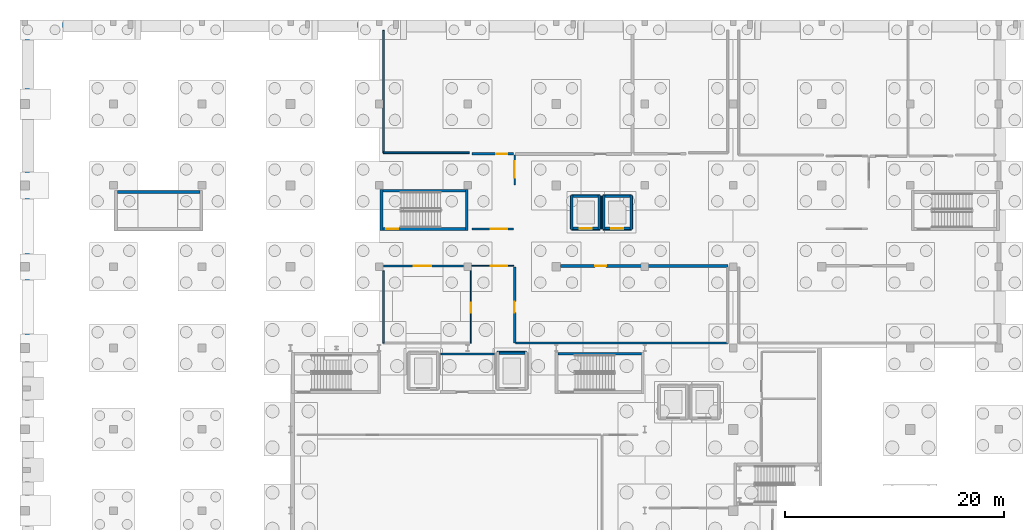
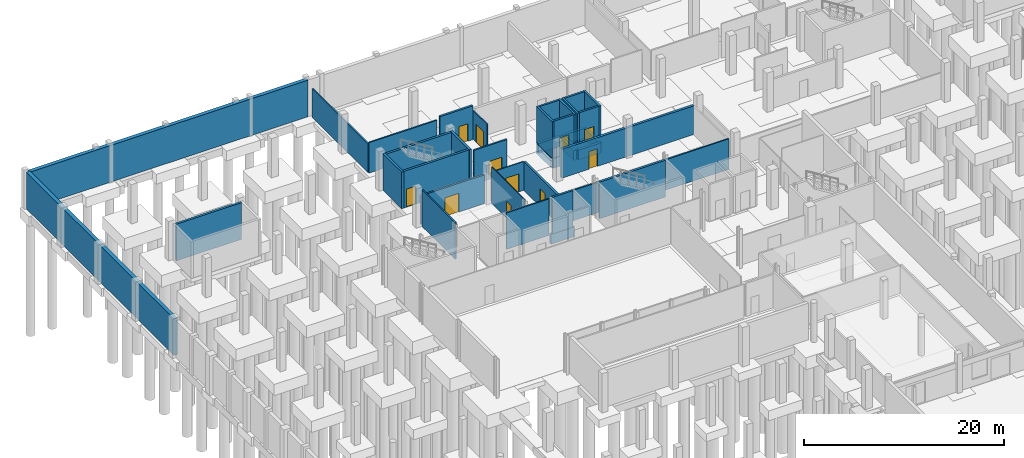
# One storey, part 28 of 37: 39 walls, 11 doors, 11 openings.
"""IFC4 building model written with IfcOpenShell, lengths in metres."""

from ifc_helpers import new_model, si_unit, direction, frame, frame_2d, origin, place, context, subcontext, project, spatial, rectangle, extrude, material, layer, layer_set, type_object, element, fill, save


model = new_model("IFC4")

# Units and contexts
model_context = context("Model", 3, precision=1e-05, world=origin(), true_north=direction((0.0, 1.0)))
body_context = subcontext(model_context, "Body", "Model", "MODEL_VIEW")
ifc_project = project(units=[si_unit("LENGTHUNIT", "METRE"), si_unit("AREAUNIT", "SQUARE_METRE"), si_unit("VOLUMEUNIT", "CUBIC_METRE"), si_unit("PLANEANGLEUNIT", "RADIAN"), si_unit("MASSUNIT", "GRAM", prefix="KILO")], contexts=[model_context])

# Site, building, storey
site_placement = place(None, origin())
site = spatial("IfcSite", under=ifc_project, at=site_placement, CompositionType="ELEMENT")
building_placement = place(site_placement, origin())
building = spatial("IfcBuilding", under=site, at=building_placement, Name="Kaelora Sail Theatre", CompositionType="ELEMENT")
storey_placement = place(building_placement, frame((0.0, 0.0, -4.800048828125)))
storey = spatial("IfcBuildingStorey", under=building, at=storey_placement, Name="B1", CompositionType="ELEMENT", Elevation=-4.800048828125)

# Wall
ifc_material_1 = material(Name="Concrete C40/50", Category="concrete")
ifc_layer_1 = layer(ifc_material_1, 0.25)
ifc_layer_set_1 = layer_set([ifc_layer_1], Name="Concrete C40/50")
wall_type_1 = type_object("IfcWallType", Name="ARC-WL-CW-250", PredefinedType="SHEAR", material=ifc_layer_set_1)
wall_1_placement = place(storey_placement, frame((50.2548828125, 82.824951171875, 0.0), z_axis=(0.0, 0.0, 1.0), x_axis=(1.0, 0.0, 0.0)))
element("IfcWall", 1, at=wall_1_placement, inside=storey, type_object=wall_type_1, Name="Stair shaft ST-K5 wall B1-N", PredefinedType="SHEAR", context=body_context, shape_type="SweptSolid", body=[
    extrude(rectangle(XDim=7.64013671875, YDim=0.25, at=frame_2d((3.820068359375, 0.0))), origin(), (0.0, 0.0, 1.0), 4.47998046875),
])

# Wall, opening, door
wall_2_placement = place(storey_placement, frame((34.2548828125, 94.22509765625, 0.0), z_axis=(0.0, 0.0, 1.0), x_axis=(1.0, 0.0, 0.0)))
wall_2 = element("IfcWall", 2, at=wall_2_placement, inside=storey, type_object=wall_type_1, Name="Stair shaft ST-K2 wall B1-S", PredefinedType="SHEAR", context=body_context, shape_type="SweptSolid", body=[
    extrude(rectangle(XDim=7.5400390625, YDim=0.25, at=frame_2d((3.77001953125, 0.0))), origin(), (0.0, 0.0, 1.0), 4.47998046875),
])
opening_1_placement = place(wall_2_placement, frame((0.320068359375, 0.0, 0.0)))
opening_1 = element("IfcOpeningElement", 3, at=opening_1_placement, cuts=wall_2, Name="Opening FD-02", PredefinedType="OPENING", context=body_context, shape_type="SweptSolid", body=[
    extrude(rectangle(XDim=1.10009765625, YDim=2.199951171875, at=frame_2d((0.550048828125, 1.10009765625))), frame((0.0, 0.135, 0.0), z_axis=(0.0, -1.0, 0.0), x_axis=(1.0, 0.0, 0.0)), (0.0, 0.0, 1.0), 0.27),
])
ifc_material_2 = material(Name="Acoustic steel single stair/lobby fire door EI 90-C", Category="steel")
door_type_1 = type_object("IfcDoorType", Name="ARC-DR-FD-02", OperationType="NOTDEFINED", PredefinedType="DOOR", material=ifc_material_2)
door_1_placement = place(opening_1_placement, origin())
door_1 = element("IfcDoor", 4, at=door_1_placement, inside=storey, type_object=door_type_1, Name="Stair ST-K2 door (B1)", OperationType="SINGLE_SWING_LEFT", OverallHeight=2.199951171875, OverallWidth=1.10009765625, PredefinedType="DOOR", context=body_context, shape_type="SweptSolid", body=[
    extrude(rectangle(XDim=1.10009765625, YDim=2.199951171875, at=frame_2d((0.550048828125, 1.10009765625))), frame((0.0, 0.02490234375, 0.0), z_axis=(0.0, -1.0, 0.0), x_axis=(1.0, 0.0, 0.0)), (0.0, 0.0, 1.0), 0.050048828125),
])
fill(opening_1, door_1)

# Walls
wall_3_placement = place(storey_placement, frame((34.2548828125, 97.72509765625, 0.0), z_axis=(0.0, 0.0, 1.0), x_axis=(1.0, 0.0, 0.0)))
element("IfcWall", 5, at=wall_3_placement, inside=storey, type_object=wall_type_1, Name="Stair shaft ST-K2 wall B1-N", PredefinedType="SHEAR", context=body_context, shape_type="SweptSolid", body=[
    extrude(rectangle(XDim=7.5400390625, YDim=0.25, at=frame_2d((3.77001953125, 0.0))), origin(), (0.0, 0.0, 1.0), 4.47998046875),
])
for number, where, z_axis, x_axis, name in (
    (6, (34.125, 94.10009765625, 0.0), (0.0, 0.0, 1.0), (0.0, 1.0, 0.0), "Stair shaft ST-K2 wall B1-W"),
    (7, (41.925048828125, 94.10009765625, 0.0), (0.0, 0.0, 1.0), (0.0, 1.0, 0.0), "Stair shaft ST-K2 wall B1-E"),
):
    element("IfcWall", number, at=place(storey_placement, frame(where, z_axis=z_axis, x_axis=x_axis)), inside=storey, type_object=wall_type_1, Name=name, PredefinedType="SHEAR", context=body_context, shape_type="SweptSolid", body=[
        extrude(rectangle(XDim=3.75, YDim=0.25, at=frame_2d((1.875, 0.0))), origin(), (0.0, 0.0, 1.0), 4.47998046875),
    ])
wall_4_placement = place(storey_placement, frame((9.955078125, 97.625, 0.0), z_axis=(0.0, 0.0, 1.0), x_axis=(1.0, 0.0, 0.0)))
element("IfcWall", 8, at=wall_4_placement, inside=storey, type_object=wall_type_1, Name="Stair shaft ST-W1 wall B1-N", PredefinedType="SHEAR", context=body_context, shape_type="SweptSolid", body=[
    extrude(rectangle(XDim=7.5400390625, YDim=0.25, at=frame_2d((3.77001953125, 0.0))), origin(), (0.0, 0.0, 1.0), 4.47998046875),
])

# Wall, opening, door
ifc_material_3 = material(Name="Sanitary moisture-resistant partition 100 mm", Category="gypsum")
ifc_layer_2 = layer(ifc_material_3, 0.10009765625)
ifc_layer_set_2 = layer_set([ifc_layer_2], Name="Sanitary moisture-resistant partition 100 mm")
wall_type_2 = type_object("IfcWallType", Name="ARC-WL-PT-100", PredefinedType="PARTITIONING", material=ifc_layer_set_2)
wall_5_placement = place(storey_placement, frame((42.39990234375, 90.85009765625, 0.0), z_axis=(0.0, 0.0, 1.0), x_axis=(1.0, 0.0, 0.0)))
wall_5 = element("IfcWall", 9, at=wall_5_placement, inside=storey, type_object=wall_type_2, Name="Interior acoustic partition B1-COR-NW2S/B1-COR-NORTH", PredefinedType="PARTITIONING", context=body_context, shape_type="SweptSolid", body=[
    extrude(rectangle(XDim=3.800048828125, YDim=0.10009765625, at=frame_2d((1.89990234375, 0.0))), origin(), (0.0, 0.0, 1.0), 3.511962890625),
])
opening_2_placement = place(wall_5_placement, frame((1.719970703125, 0.0, 0.0)))
opening_2 = element("IfcOpeningElement", 10, at=opening_2_placement, cuts=wall_5, Name="Opening FD-01", PredefinedType="OPENING", context=body_context, shape_type="SweptSolid", body=[
    extrude(rectangle(XDim=1.5, YDim=2.199951171875, at=frame_2d((0.75, 1.10009765625))), frame((0.0, 0.060049, 0.0), z_axis=(0.0, -1.0, 0.0), x_axis=(1.0, 0.0, 0.0)), (0.0, 0.0, 1.0), 0.120098),
])
ifc_material_4 = material(Name="Acoustic steel double fire door EI 90-C", Category="steel")
door_type_2 = type_object("IfcDoorType", Name="ARC-DR-FD-01", OperationType="NOTDEFINED", PredefinedType="DOOR", material=ifc_material_4)
door_2_placement = place(opening_2_placement, origin())
door_2 = element("IfcDoor", 11, at=door_2_placement, inside=storey, type_object=door_type_2, Name="Interior door B1-COR-NW2S to B1-COR-NORTH", OperationType="DOUBLE_DOOR_SINGLE_SWING", OverallHeight=2.199951171875, OverallWidth=1.5, PredefinedType="DOOR", context=body_context, shape_type="SweptSolid", body=[
    extrude(rectangle(XDim=1.5, YDim=2.199951171875, at=frame_2d((0.75, 1.10009765625))), frame((0.0, 0.02490234375, 0.0), z_axis=(0.0, -1.0, 0.0), x_axis=(1.0, 0.0, 0.0)), (0.0, 0.0, 1.0), 0.050048828125),
])
fill(opening_2, door_2)

wall_6_placement = place(storey_placement, frame((42.300048828125, 83.800048828125, 0.0), z_axis=(0.0, 0.0, 1.0), x_axis=(0.0, 1.0, 0.0)))
wall_6 = element("IfcWall", 12, at=wall_6_placement, inside=storey, type_object=wall_type_2, Name="Interior acoustic partition B1-COR-NW2S/B1-SEC", PredefinedType="PARTITIONING", context=body_context, shape_type="SweptSolid", body=[
    extrude(rectangle(XDim=6.625, YDim=0.10009765625, at=frame_2d((3.3125, 0.0))), origin(), (0.0, 0.0, 1.0), 4.4599609375),
])
opening_3_placement = place(wall_6_placement, frame((2.762939453125, 0.0, 0.0)))
opening_3 = element("IfcOpeningElement", 13, at=opening_3_placement, cuts=wall_6, Name="Opening ID-03", PredefinedType="OPENING", context=body_context, shape_type="SweptSolid", body=[
    extrude(rectangle(XDim=0.89990234375, YDim=2.10009765625, at=frame_2d((0.449951171875, 1.050048828125))), frame((0.0, 0.060049, 0.0), z_axis=(0.0, -1.0, 0.0), x_axis=(1.0, 0.0, 0.0)), (0.0, 0.0, 1.0), 0.120098),
])
ifc_material_5 = material(Name="Accessible sanitary laminate door", Category="timber")
door_type_3 = type_object("IfcDoorType", Name="ARC-DR-ID-03", OperationType="NOTDEFINED", PredefinedType="DOOR", material=ifc_material_5)
door_3_placement = place(opening_3_placement, origin())
door_3 = element("IfcDoor", 14, at=door_3_placement, inside=storey, type_object=door_type_3, Name="Interior door B1-COR-NW2S to B1-SEC", OperationType="SINGLE_SWING_LEFT", OverallHeight=2.10009765625, OverallWidth=0.89990234375, PredefinedType="DOOR", context=body_context, shape_type="SweptSolid", body=[
    extrude(rectangle(XDim=0.89990234375, YDim=2.10009765625, at=frame_2d((0.449951171875, 1.050048828125))), frame((0.0, 0.02490234375, 0.0), z_axis=(0.0, -1.0, 0.0), x_axis=(1.0, 0.0, 0.0)), (0.0, 0.0, 1.0), 0.050048828125),
])
fill(opening_3, door_3)

ifc_material_6 = material(Name="Dressing room acoustic partition 130 mm", Category="gypsum")
ifc_layer_3 = layer(ifc_material_6, 0.1298828125)
ifc_layer_set_3 = layer_set([ifc_layer_3], Name="Dressing room acoustic partition 130 mm")
wall_type_3 = type_object("IfcWallType", Name="ARC-WL-PT-130", PredefinedType="PARTITIONING", material=ifc_layer_set_3)
wall_7_placement = place(storey_placement, frame((46.300048828125, 98.25, 0.0), z_axis=(0.0, 0.0, 1.0), x_axis=(0.0, 1.0, 0.0)))
wall_7 = element("IfcWall", 15, at=wall_7_placement, inside=storey, type_object=wall_type_3, Name="Interior acoustic partition B1-COR-SPUR1/B1-COR-SPUR1E", PredefinedType="PARTITIONING", context=body_context, shape_type="SweptSolid", body=[
    extrude(rectangle(XDim=2.75, YDim=0.1298828125, at=frame_2d((1.375, 0.0))), origin(), (0.0, 0.0, 1.0), 3.511962890625),
])
opening_4_placement = place(wall_7_placement, frame((0.669921875, 0.0, 0.0)))
opening_4 = element("IfcOpeningElement", 16, at=opening_4_placement, cuts=wall_7, Name="Opening FD-01", PredefinedType="OPENING", context=body_context, shape_type="SweptSolid", body=[
    extrude(rectangle(XDim=1.5, YDim=2.199951171875, at=frame_2d((0.75, 1.10009765625))), frame((0.0, 0.074941, 0.0), z_axis=(0.0, -1.0, 0.0), x_axis=(1.0, 0.0, 0.0)), (0.0, 0.0, 1.0), 0.149883),
])
door_4_placement = place(opening_4_placement, origin())
door_4 = element("IfcDoor", 17, at=door_4_placement, inside=storey, type_object=door_type_2, Name="Interior door B1-COR-SPUR1 to B1-COR-SPUR1E", OperationType="DOUBLE_DOOR_SINGLE_SWING", OverallHeight=2.199951171875, OverallWidth=1.5, PredefinedType="DOOR", context=body_context, shape_type="SweptSolid", body=[
    extrude(rectangle(XDim=1.5, YDim=2.199951171875, at=frame_2d((0.75, 1.10009765625))), frame((0.0, 0.02490234375, 0.0), z_axis=(0.0, -1.0, 0.0), x_axis=(1.0, 0.0, 0.0)), (0.0, 0.0, 1.0), 0.050048828125),
])
fill(opening_4, door_4)

# Walls
ifc_material_7 = material(Name="Acoustic metal-stud plasterboard 160 mm", Category="gypsum")
ifc_layer_4 = layer(ifc_material_7, 0.159912109375)
ifc_layer_set_4 = layer_set([ifc_layer_4], Name="Acoustic metal-stud plasterboard 160 mm")
wall_type_4 = type_object("IfcWallType", Name="ARC-WL-PT-160", PredefinedType="PARTITIONING", material=ifc_layer_set_4)
wall_8_placement = place(storey_placement, frame((39.550048828125, 82.800048828125, 0.0), z_axis=(0.0, 0.0, 1.0), x_axis=(1.0, 0.0, 0.0)))
element("IfcWall", 18, at=wall_8_placement, inside=storey, type_object=wall_type_4, Name="Room enclosure wall B1-DIMM-N1", PredefinedType="PARTITIONING", context=body_context, shape_type="SweptSolid", body=[
    extrude(rectangle(XDim=4.89990234375, YDim=0.159912109375, at=frame_2d((2.449951171875, 0.0))), origin(), (0.0, 0.0, 1.0), 4.4599609375),
])
wall_9_placement = place(storey_placement, frame((46.39990234375, 83.800048828125, 0.0), z_axis=(0.0, 0.0, 1.0), x_axis=(1.0, 0.0, 0.0)))
element("IfcWall", 19, at=wall_9_placement, inside=storey, type_object=wall_type_4, Name="Room enclosure wall B1-SUBS-S1", PredefinedType="PARTITIONING", context=body_context, shape_type="SweptSolid", body=[
    extrude(rectangle(XDim=19.400146484375, YDim=0.159912109375, at=frame_2d((9.7001953125, 0.0))), origin(), (0.0, 0.0, 1.0), 3.712158203125),
])
wall_10_placement = place(storey_placement, frame((34.300048828125, 101.199951171875, 0.0), z_axis=(0.0, 0.0, 1.0), x_axis=(1.0, 0.0, 0.0)))
element("IfcWall", 20, at=wall_10_placement, inside=storey, type_object=wall_type_4, Name="Room enclosure wall B1-CHIL-S1", PredefinedType="PARTITIONING", context=body_context, shape_type="SweptSolid", body=[
    extrude(rectangle(XDim=7.849853515625, YDim=0.159912109375, at=frame_2d((3.9248046875, 0.0))), origin(), (0.0, 0.0, 1.0), 3.712158203125),
])
wall_11_placement = place(storey_placement, frame((34.300048828125, 101.199951171875, 0.0), z_axis=(0.0, 0.0, 1.0), x_axis=(0.0, 1.0, 0.0)))
element("IfcWall", 21, at=wall_11_placement, inside=storey, type_object=wall_type_4, Name="Room enclosure wall B1-CHIL-W1", PredefinedType="PARTITIONING", context=body_context, shape_type="SweptSolid", body=[
    extrude(rectangle(XDim=11.199951171875, YDim=0.159912109375, at=frame_2d((5.60009765625, 0.0))), origin(), (0.0, 0.0, 1.0), 3.511962890625),
])
wall_12_placement = place(storey_placement, frame((34.300048828125, 83.800048828125, 0.0), z_axis=(0.0, 0.0, 1.0), x_axis=(0.0, 1.0, 0.0)))
element("IfcWall", 22, at=wall_12_placement, inside=storey, type_object=wall_type_4, Name="Room enclosure wall B1-SEC-W1", PredefinedType="PARTITIONING", context=body_context, shape_type="SweptSolid", body=[
    extrude(rectangle(XDim=6.60986328125, YDim=0.159912109375, at=frame_2d((3.304931640625, 0.0))), origin(), (0.0, 0.0, 1.0), 4.4599609375),
])

# Wall, opening, door
ifc_material_8 = material(Name="Rehearsal double-stud partition 185 mm", Category="gypsum")
ifc_layer_5 = layer(ifc_material_8, 0.18505859375)
ifc_layer_set_5 = layer_set([ifc_layer_5], Name="Rehearsal double-stud partition 185 mm")
wall_type_5 = type_object("IfcWallType", Name="ARC-WL-PT-185", PredefinedType="PARTITIONING", material=ifc_layer_set_5)
wall_13_placement = place(storey_placement, frame((42.39990234375, 94.25, 0.0), z_axis=(0.0, 0.0, 1.0), x_axis=(1.0, 0.0, 0.0)))
wall_13 = element("IfcWall", 23, at=wall_13_placement, inside=storey, type_object=wall_type_5, Name="Interior acoustic partition B1-COR-NORTH/B1-COR-SPUR1", PredefinedType="PARTITIONING", context=body_context, shape_type="SweptSolid", body=[
    extrude(rectangle(XDim=3.800048828125, YDim=0.18505859375, at=frame_2d((1.89990234375, 0.0))), origin(), (0.0, 0.0, 1.0), 4.162109375),
])
opening_5_placement = place(wall_13_placement, frame((1.719970703125, 0.0, 0.0)))
opening_5 = element("IfcOpeningElement", 24, at=opening_5_placement, cuts=wall_13, Name="Opening FD-01", PredefinedType="OPENING", context=body_context, shape_type="SweptSolid", body=[
    extrude(rectangle(XDim=1.5, YDim=2.199951171875, at=frame_2d((0.75, 1.10009765625))), frame((0.0, 0.102529, 0.0), z_axis=(0.0, -1.0, 0.0), x_axis=(1.0, 0.0, 0.0)), (0.0, 0.0, 1.0), 0.205059),
])
door_5_placement = place(opening_5_placement, origin())
door_5 = element("IfcDoor", 25, at=door_5_placement, inside=storey, type_object=door_type_2, Name="Interior door B1-COR-NORTH to B1-COR-SPUR1", OperationType="DOUBLE_DOOR_SINGLE_SWING", OverallHeight=2.199951171875, OverallWidth=1.5, PredefinedType="DOOR", context=body_context, shape_type="SweptSolid", body=[
    extrude(rectangle(XDim=1.5, YDim=2.199951171875, at=frame_2d((0.75, 1.10009765625))), frame((0.0, 0.02490234375, 0.0), z_axis=(0.0, -1.0, 0.0), x_axis=(1.0, 0.0, 0.0)), (0.0, 0.0, 1.0), 0.050048828125),
])
fill(opening_5, door_5)

ifc_material_9 = material(Name="Acoustic double-stud plasterboard 200 mm", Category="gypsum")
ifc_layer_6 = layer(ifc_material_9, 0.199951171875)
ifc_layer_set_6 = layer_set([ifc_layer_6], Name="Acoustic double-stud plasterboard 200 mm")
wall_type_6 = type_object("IfcWallType", Name="ARC-WL-PT-200", PredefinedType="PARTITIONING", material=ifc_layer_set_6)
wall_14_placement = place(storey_placement, frame((34.300048828125, 90.85009765625, 0.0), z_axis=(0.0, 0.0, 1.0), x_axis=(1.0, 0.0, 0.0)))
wall_14 = element("IfcWall", 26, at=wall_14_placement, inside=storey, type_object=wall_type_6, Name="Interior acoustic partition B1-COR-NORTH/B1-SEC", PredefinedType="PARTITIONING", context=body_context, shape_type="SweptSolid", body=[
    extrude(rectangle(XDim=7.344970703125, YDim=0.199951171875, at=frame_2d((3.67236328125, 0.0))), origin(), (0.0, 0.0, 1.0), 3.511962890625),
])
opening_6_placement = place(wall_14_placement, frame((2.77294921875, 0.0, 0.0)))
opening_6 = element("IfcOpeningElement", 27, at=opening_6_placement, cuts=wall_14, Name="Opening ID-04", PredefinedType="OPENING", context=body_context, shape_type="SweptSolid", body=[
    extrude(rectangle(XDim=1.60009765625, YDim=2.300048828125, at=frame_2d((0.800048828125, 1.14990234375))), frame((0.0, 0.110098, 0.0), z_axis=(0.0, -1.0, 0.0), x_axis=(1.0, 0.0, 0.0)), (0.0, 0.0, 1.0), 0.219951),
])
ifc_material_10 = material(Name="Rehearsal hall acoustic timber double door", Category="wood")
door_type_4 = type_object("IfcDoorType", Name="ARC-DR-ID-04", OperationType="NOTDEFINED", PredefinedType="DOOR", material=ifc_material_10)
door_6_placement = place(opening_6_placement, origin())
door_6 = element("IfcDoor", 28, at=door_6_placement, inside=storey, type_object=door_type_4, Name="Interior door B1-COR-NORTH to B1-SEC", OperationType="DOUBLE_DOOR_SINGLE_SWING", OverallHeight=2.300048828125, OverallWidth=1.60009765625, PredefinedType="DOOR", context=body_context, shape_type="SweptSolid", body=[
    extrude(rectangle(XDim=1.60009765625, YDim=2.300048828125, at=frame_2d((0.800048828125, 1.14990234375))), frame((0.0, 0.02490234375, 0.0), z_axis=(0.0, -1.0, 0.0), x_axis=(1.0, 0.0, 0.0)), (0.0, 0.0, 1.0), 0.050048828125),
])
fill(opening_6, door_6)

ifc_material_11 = material(Name="Concrete C40/50", Category="concrete")
ifc_layer_7 = layer(ifc_material_11, 0.22998046875)
ifc_layer_set_7 = layer_set([ifc_layer_7], Name="Concrete C40/50")
wall_type_7 = type_object("IfcWallType", Name="ARC-WL-PW-230", PredefinedType="SOLIDWALL", material=ifc_layer_set_7)
wall_15_placement = place(storey_placement, frame((46.300048828125, 83.800048828125, 0.0), z_axis=(0.0, 0.0, 1.0), x_axis=(0.0, 1.0, 0.0)))
wall_15 = element("IfcWall", 29, at=wall_15_placement, inside=storey, type_object=wall_type_7, Name="Interior acoustic partition B1-COR-NW2S/B1-SUBS", PredefinedType="SOLIDWALL", context=body_context, shape_type="SweptSolid", body=[
    extrude(rectangle(XDim=6.949951171875, YDim=0.22998046875, at=frame_2d((3.47509765625, 0.0))), origin(), (0.0, 0.0, 1.0), 3.511962890625),
])
opening_7_placement = place(wall_15_placement, frame((2.77490234375, 0.0, 0.0)))
opening_7 = element("IfcOpeningElement", 30, at=opening_7_placement, cuts=wall_15, Name="Opening FD-04", PredefinedType="OPENING", context=body_context, shape_type="SweptSolid", body=[
    extrude(rectangle(XDim=1.0, YDim=2.14990234375, at=frame_2d((0.5, 1.074951171875))), frame((0.0, 0.12499, 0.0), z_axis=(0.0, -1.0, 0.0), x_axis=(1.0, 0.0, 0.0)), (0.0, 0.0, 1.0), 0.24998),
])
ifc_material_12 = material(Name="Fire-rated riser and plant steel door FD60S", Category="steel")
door_type_5 = type_object("IfcDoorType", Name="ARC-DR-FD-04", OperationType="NOTDEFINED", PredefinedType="DOOR", material=ifc_material_12)
door_7_placement = place(opening_7_placement, origin())
door_7 = element("IfcDoor", 31, at=door_7_placement, inside=storey, type_object=door_type_5, Name="Interior door B1-COR-NW2S to B1-SUBS", OperationType="SINGLE_SWING_RIGHT", OverallHeight=2.14990234375, OverallWidth=1.0, PredefinedType="DOOR", context=body_context, shape_type="SweptSolid", body=[
    extrude(rectangle(XDim=1.0, YDim=2.14990234375, at=frame_2d((0.5, 1.074951171875))), frame((0.0, 0.02490234375, 0.0), z_axis=(0.0, -1.0, 0.0), x_axis=(1.0, 0.0, 0.0)), (0.0, 0.0, 1.0), 0.050048828125),
])
fill(opening_7, door_7)

wall_16_placement = place(storey_placement, frame((42.39990234375, 101.10009765625, 0.0), z_axis=(0.0, 0.0, 1.0), x_axis=(1.0, 0.0, 0.0)))
wall_16 = element("IfcWall", 32, at=wall_16_placement, inside=storey, type_object=wall_type_7, Name="Interior acoustic partition B1-COR-SPUR1/B1-CHIL", PredefinedType="SOLIDWALL", context=body_context, shape_type="SweptSolid", body=[
    extrude(rectangle(XDim=3.800048828125, YDim=0.22998046875, at=frame_2d((1.89990234375, 0.0))), origin(), (0.0, 0.0, 1.0), 4.132080078125),
])
opening_8_placement = place(wall_16_placement, frame((2.219970703125, 0.0, 0.0)))
opening_8 = element("IfcOpeningElement", 33, at=opening_8_placement, cuts=wall_16, Name="Opening FD-04", PredefinedType="OPENING", context=body_context, shape_type="SweptSolid", body=[
    extrude(rectangle(XDim=1.0, YDim=2.14990234375, at=frame_2d((0.5, 1.074951171875))), frame((0.0, 0.12499, 0.0), z_axis=(0.0, -1.0, 0.0), x_axis=(1.0, 0.0, 0.0)), (0.0, 0.0, 1.0), 0.24998),
])
door_8_placement = place(opening_8_placement, origin())
door_8 = element("IfcDoor", 34, at=door_8_placement, inside=storey, type_object=door_type_5, Name="Interior door B1-COR-SPUR1 to B1-CHIL", OperationType="SINGLE_SWING_RIGHT", OverallHeight=2.14990234375, OverallWidth=1.0, PredefinedType="DOOR", context=body_context, shape_type="SweptSolid", body=[
    extrude(rectangle(XDim=1.0, YDim=2.14990234375, at=frame_2d((0.5, 1.074951171875))), frame((0.0, 0.02490234375, 0.0), z_axis=(0.0, -1.0, 0.0), x_axis=(1.0, 0.0, 0.0)), (0.0, 0.0, 1.0), 0.050048828125),
])
fill(opening_8, door_8)

ifc_material_13 = material(Name="Concrete C45/55", Category="concrete")
ifc_layer_8 = layer(ifc_material_13, 0.27001953125)
ifc_layer_set_8 = layer_set([ifc_layer_8], Name="Concrete C45/55")
wall_type_8 = type_object("IfcWallType", Name="ARC-WL-PW-270", PredefinedType="SOLIDWALL", material=ifc_layer_set_8)
wall_17_placement = place(storey_placement, frame((50.5048828125, 90.85009765625, 0.0), z_axis=(0.0, 0.0, 1.0), x_axis=(1.0, 0.0, 0.0)))
wall_17 = element("IfcWall", 35, at=wall_17_placement, inside=storey, type_object=wall_type_8, Name="Interior acoustic partition B1-COR-NORTH/B1-SUBS", PredefinedType="SOLIDWALL", context=body_context, shape_type="SweptSolid", body=[
    extrude(rectangle(XDim=15.295166015625, YDim=0.27001953125, at=frame_2d((7.6474609375, 0.0))), origin(), (0.0, 0.0, 1.0), 3.511962890625),
])
opening_9_placement = place(wall_17_placement, frame((3.1669921875, 0.0, 0.0)))
opening_9 = element("IfcOpeningElement", 36, at=opening_9_placement, cuts=wall_17, Name="Opening FD-04", PredefinedType="OPENING", context=body_context, shape_type="SweptSolid", body=[
    extrude(rectangle(XDim=1.0, YDim=2.14990234375, at=frame_2d((0.5, 1.074951171875))), frame((0.0, 0.14501, 0.0), z_axis=(0.0, -1.0, 0.0), x_axis=(1.0, 0.0, 0.0)), (0.0, 0.0, 1.0), 0.29002),
])
door_9_placement = place(opening_9_placement, origin())
door_9 = element("IfcDoor", 37, at=door_9_placement, inside=storey, type_object=door_type_5, Name="Interior door B1-COR-NORTH to B1-SUBS", OperationType="SINGLE_SWING_RIGHT", OverallHeight=2.14990234375, OverallWidth=1.0, PredefinedType="DOOR", context=body_context, shape_type="SweptSolid", body=[
    extrude(rectangle(XDim=1.0, YDim=2.14990234375, at=frame_2d((0.5, 1.074951171875))), frame((0.0, 0.02490234375, 0.0), z_axis=(0.0, -1.0, 0.0), x_axis=(1.0, 0.0, 0.0)), (0.0, 0.0, 1.0), 0.050048828125),
])
fill(opening_9, door_9)

# Walls
ifc_material_14 = material(Name="Concrete C40/50", Category="concrete")
ifc_layer_9 = layer(ifc_material_14, 0.3798828125)
ifc_layer_set_9 = layer_set([ifc_layer_9], Name="Concrete C40/50")
wall_type_9 = type_object("IfcWallType", Name="ARC-WL-RW-380", PredefinedType="USERDEFINED", material=ifc_layer_set_9)
wall_18_placement = place(storey_placement, frame((47.39990234375, 82.89990234375, -1.199951171875), z_axis=(0.0, 0.0, 1.0), x_axis=(-1.0, 0.0, 0.0)))
element("IfcWall", 38, at=wall_18_placement, inside=storey, type_object=wall_type_9, Name="Lift pit wall FFL-02-3", ObjectType="RETAINING WALL", PredefinedType="USERDEFINED", context=body_context, shape_type="SweptSolid", body=[
    extrude(rectangle(XDim=2.699951171875, YDim=0.300048828125, at=frame_2d((1.35009765625, 0.0))), origin(), (0.0, 0.0, 1.0), 1.199951171875),
])
wall_19_placement = place(storey_placement, frame((51.5, 94.25, -1.199951171875), z_axis=(0.0, 0.0, 1.0), x_axis=(1.0, 0.0, 0.0)))
element("IfcWall", 39, at=wall_19_placement, inside=storey, type_object=wall_type_9, Name="Lift pit wall PL-03-1", ObjectType="RETAINING WALL", PredefinedType="USERDEFINED", context=body_context, shape_type="SweptSolid", body=[
    extrude(rectangle(XDim=2.60009765625, YDim=0.300048828125, at=frame_2d((1.300048828125, 0.0))), origin(), (0.0, 0.0, 1.0), 1.199951171875),
])
wall_20_placement = place(storey_placement, frame((54.10009765625, 94.25, -1.199951171875), z_axis=(0.0, 0.0, 1.0), x_axis=(0.0, 1.0, 0.0)))
element("IfcWall", 40, at=wall_20_placement, inside=storey, type_object=wall_type_9, Name="Lift pit wall PL-03-2", ObjectType="RETAINING WALL", PredefinedType="USERDEFINED", context=body_context, shape_type="SweptSolid", body=[
    extrude(rectangle(XDim=3.0, YDim=0.300048828125, at=frame_2d((1.5, 0.0))), origin(), (0.0, 0.0, 1.0), 1.199951171875),
])
wall_21_placement = place(storey_placement, frame((54.10009765625, 97.25, -1.199951171875), z_axis=(0.0, 0.0, 1.0), x_axis=(-1.0, 0.0, 0.0)))
element("IfcWall", 41, at=wall_21_placement, inside=storey, type_object=wall_type_9, Name="Lift pit wall PL-03-3", ObjectType="RETAINING WALL", PredefinedType="USERDEFINED", context=body_context, shape_type="SweptSolid", body=[
    extrude(rectangle(XDim=2.60009765625, YDim=0.300048828125, at=frame_2d((1.300048828125, 0.0))), origin(), (0.0, 0.0, 1.0), 1.199951171875),
])
wall_22_placement = place(storey_placement, frame((51.5, 97.25, -1.199951171875), z_axis=(0.0, 0.0, 1.0), x_axis=(0.0, -1.0, 0.0)))
element("IfcWall", 42, at=wall_22_placement, inside=storey, type_object=wall_type_9, Name="Lift pit wall PL-03-4", ObjectType="RETAINING WALL", PredefinedType="USERDEFINED", context=body_context, shape_type="SweptSolid", body=[
    extrude(rectangle(XDim=3.0, YDim=0.300048828125, at=frame_2d((1.5, 0.0))), origin(), (0.0, 0.0, 1.0), 1.199951171875),
])
wall_23_placement = place(storey_placement, frame((54.39990234375, 94.25, -1.199951171875), z_axis=(0.0, 0.0, 1.0), x_axis=(1.0, 0.0, 0.0)))
element("IfcWall", 43, at=wall_23_placement, inside=storey, type_object=wall_type_9, Name="Lift pit wall PL-04-1", ObjectType="RETAINING WALL", PredefinedType="USERDEFINED", context=body_context, shape_type="SweptSolid", body=[
    extrude(rectangle(XDim=2.60009765625, YDim=0.300048828125, at=frame_2d((1.300048828125, 0.0))), origin(), (0.0, 0.0, 1.0), 1.199951171875),
])
wall_24_placement = place(storey_placement, frame((57.0, 94.25, -1.199951171875), z_axis=(0.0, 0.0, 1.0), x_axis=(0.0, 1.0, 0.0)))
element("IfcWall", 44, at=wall_24_placement, inside=storey, type_object=wall_type_9, Name="Lift pit wall PL-04-2", ObjectType="RETAINING WALL", PredefinedType="USERDEFINED", context=body_context, shape_type="SweptSolid", body=[
    extrude(rectangle(XDim=3.0, YDim=0.300048828125, at=frame_2d((1.5, 0.0))), origin(), (0.0, 0.0, 1.0), 1.199951171875),
])
wall_25_placement = place(storey_placement, frame((57.0, 97.25, -1.199951171875), z_axis=(0.0, 0.0, 1.0), x_axis=(-1.0, 0.0, 0.0)))
element("IfcWall", 45, at=wall_25_placement, inside=storey, type_object=wall_type_9, Name="Lift pit wall PL-04-3", ObjectType="RETAINING WALL", PredefinedType="USERDEFINED", context=body_context, shape_type="SweptSolid", body=[
    extrude(rectangle(XDim=2.60009765625, YDim=0.300048828125, at=frame_2d((1.300048828125, 0.0))), origin(), (0.0, 0.0, 1.0), 1.199951171875),
])
wall_26_placement = place(storey_placement, frame((54.39990234375, 97.25, -1.199951171875), z_axis=(0.0, 0.0, 1.0), x_axis=(0.0, -1.0, 0.0)))
element("IfcWall", 46, at=wall_26_placement, inside=storey, type_object=wall_type_9, Name="Lift pit wall PL-04-4", ObjectType="RETAINING WALL", PredefinedType="USERDEFINED", context=body_context, shape_type="SweptSolid", body=[
    extrude(rectangle(XDim=3.0, YDim=0.300048828125, at=frame_2d((1.5, 0.0))), origin(), (0.0, 0.0, 1.0), 1.199951171875),
])
ifc_material_15 = material(Name="Concrete C45/55", Category="concrete")
ifc_layer_10 = layer(ifc_material_15, 0.419921875)
ifc_layer_set_10 = layer_set([ifc_layer_10], Name="Concrete C45/55")
wall_type_10 = type_object("IfcWallType", Name="ARC-WL-RW-420", PredefinedType="USERDEFINED", material=ifc_layer_set_10)
wall_27_placement = place(storey_placement, frame((1.7099609375, 83.340087890625, 0.0), z_axis=(0.0, 0.0, 1.0), x_axis=(0.0, 1.0, 0.0)))
element("IfcWall", 47, at=wall_27_placement, inside=storey, type_object=wall_type_10, Name="Grounded concrete plinth retaining wall B1-PLINTH-WN", ObjectType="RETAINING WALL", PredefinedType="USERDEFINED", context=body_context, shape_type="SweptSolid", body=[
    extrude(rectangle(XDim=29.5498046875, YDim=0.419921875, at=frame_2d((14.77490234375, 0.0))), origin(), (0.0, 0.0, 1.0), 4.47998046875),
])
wall_28_placement = place(storey_placement, frame((1.7099609375, 112.889892578125, 0.0), z_axis=(0.0, 0.0, 1.0), x_axis=(1.0, 0.0, 0.0)))
element("IfcWall", 48, at=wall_28_placement, inside=storey, type_object=wall_type_10, Name="Grounded concrete plinth retaining wall B1-PLINTH-NW", ObjectType="RETAINING WALL", PredefinedType="USERDEFINED", context=body_context, shape_type="SweptSolid", body=[
    extrude(rectangle(XDim=32.18994140625, YDim=0.419921875, at=frame_2d((16.094970703125, 0.0))), origin(), (0.0, 0.0, 1.0), 4.47998046875),
])
ifc_material_16 = material(Name="Concrete C40/50", Category="concrete")
ifc_layer_11 = layer(ifc_material_16, 0.219970703125)
ifc_layer_set_11 = layer_set([ifc_layer_11], Name="Concrete C40/50")
wall_type_11 = type_object("IfcWallType", Name="ARC-WL-SW-220", PredefinedType="SOLIDWALL", material=ifc_layer_set_11)
wall_29_placement = place(storey_placement, frame((44.85009765625, 82.860107421875, 0.0), z_axis=(0.0, 0.0, 1.0), x_axis=(1.0, 0.0, 0.0)))
element("IfcWall", 49, at=wall_29_placement, inside=storey, type_object=wall_type_11, Name="Lift FFL-02 shaft wall B1-N", PredefinedType="SOLIDWALL", context=body_context, shape_type="SweptSolid", body=[
    extrude(rectangle(XDim=2.39990234375, YDim=0.219970703125, at=frame_2d((1.199951171875, 0.0))), origin(), (0.0, 0.0, 1.0), 4.47998046875),
])

# Wall, opening, door
wall_30_placement = place(storey_placement, frame((51.64990234375, 94.2900390625, 0.0), z_axis=(0.0, 0.0, 1.0), x_axis=(1.0, 0.0, 0.0)))
wall_30 = element("IfcWall", 50, at=wall_30_placement, inside=storey, type_object=wall_type_11, Name="Lift PL-03 shaft wall B1-S", PredefinedType="SOLIDWALL", context=body_context, shape_type="SweptSolid", body=[
    extrude(rectangle(XDim=2.300048828125, YDim=0.219970703125, at=frame_2d((1.14990234375, 0.0))), origin(), (0.0, 0.0, 1.0), 4.47998046875),
])
opening_10_placement = place(wall_30_placement, frame((0.60009765625, 0.0, 0.0)))
opening_10 = element("IfcOpeningElement", 51, at=opening_10_placement, cuts=wall_30, Name="Opening LD-PAX", PredefinedType="OPENING", context=body_context, shape_type="SweptSolid", body=[
    extrude(rectangle(XDim=1.10009765625, YDim=2.199951171875, at=frame_2d((0.550048828125, 1.10009765625))), frame((0.0, 0.119863, 0.0), z_axis=(0.0, -1.0, 0.0), x_axis=(1.0, 0.0, 0.0)), (0.0, 0.0, 1.0), 0.239971),
])
ifc_material_17 = material(Name="Brushed bronze passenger lift landing door EI 90", Category="steel")
door_type_6 = type_object("IfcDoorType", Name="ARC-DR-LD-PAX", OperationType="NOTDEFINED", PredefinedType="DOOR", material=ifc_material_17)
door_10_placement = place(opening_10_placement, origin())
door_10 = element("IfcDoor", 52, at=door_10_placement, inside=storey, type_object=door_type_6, Name="Lift PL-03 sliding landing door (B1)", OperationType="SLIDING_TO_LEFT", OverallHeight=2.199951171875, OverallWidth=1.10009765625, PredefinedType="DOOR", context=body_context, shape_type="SweptSolid", body=[
    extrude(rectangle(XDim=1.10009765625, YDim=2.199951171875, at=frame_2d((0.550048828125, 1.10009765625))), frame((0.0, 0.02490234375, 0.0), z_axis=(0.0, -1.0, 0.0), x_axis=(1.0, 0.0, 0.0)), (0.0, 0.0, 1.0), 0.050048828125),
])
fill(opening_10, door_10)

# Walls
wall_31_placement = place(storey_placement, frame((51.64990234375, 97.2099609375, 0.0), z_axis=(0.0, 0.0, 1.0), x_axis=(1.0, 0.0, 0.0)))
element("IfcWall", 53, at=wall_31_placement, inside=storey, type_object=wall_type_11, Name="Lift PL-03 shaft wall B1-N", PredefinedType="SOLIDWALL", context=body_context, shape_type="SweptSolid", body=[
    extrude(rectangle(XDim=2.300048828125, YDim=0.219970703125, at=frame_2d((1.14990234375, 0.0))), origin(), (0.0, 0.0, 1.0), 4.47998046875),
])
for number, where, z_axis, x_axis, name in (
    (54, (51.5400390625, 94.179931640625, 0.0), (0.0, 0.0, 1.0), (0.0, 1.0, 0.0), "Lift PL-03 shaft wall B1-W"),
    (55, (54.06005859375, 94.179931640625, 0.0), (0.0, 0.0, 1.0), (0.0, 1.0, 0.0), "Lift PL-03 shaft wall B1-E"),
):
    element("IfcWall", number, at=place(storey_placement, frame(where, z_axis=z_axis, x_axis=x_axis)), inside=storey, type_object=wall_type_11, Name=name, PredefinedType="SOLIDWALL", context=body_context, shape_type="SweptSolid", body=[
        extrude(rectangle(XDim=3.14013671875, YDim=0.219970703125, at=frame_2d((1.570068359375, 0.0))), origin(), (0.0, 0.0, 1.0), 4.47998046875),
    ])

# Wall, opening, door
wall_32_placement = place(storey_placement, frame((54.550048828125, 94.2900390625, 0.0), z_axis=(0.0, 0.0, 1.0), x_axis=(1.0, 0.0, 0.0)))
wall_32 = element("IfcWall", 56, at=wall_32_placement, inside=storey, type_object=wall_type_11, Name="Lift PL-04 shaft wall B1-S", PredefinedType="SOLIDWALL", context=body_context, shape_type="SweptSolid", body=[
    extrude(rectangle(XDim=2.300048828125, YDim=0.219970703125, at=frame_2d((1.14990234375, 0.0))), origin(), (0.0, 0.0, 1.0), 4.47998046875),
])
opening_11_placement = place(wall_32_placement, frame((0.60009765625, 0.0, 0.0)))
opening_11 = element("IfcOpeningElement", 57, at=opening_11_placement, cuts=wall_32, Name="Opening LD-PAX", PredefinedType="OPENING", context=body_context, shape_type="SweptSolid", body=[
    extrude(rectangle(XDim=1.10009765625, YDim=2.199951171875, at=frame_2d((0.550048828125, 1.10009765625))), frame((0.0, 0.119863, 0.0), z_axis=(0.0, -1.0, 0.0), x_axis=(1.0, 0.0, 0.0)), (0.0, 0.0, 1.0), 0.239971),
])
door_11_placement = place(opening_11_placement, origin())
door_11 = element("IfcDoor", 58, at=door_11_placement, inside=storey, type_object=door_type_6, Name="Lift PL-04 sliding landing door (B1)", OperationType="SLIDING_TO_LEFT", OverallHeight=2.199951171875, OverallWidth=1.10009765625, PredefinedType="DOOR", context=body_context, shape_type="SweptSolid", body=[
    extrude(rectangle(XDim=1.10009765625, YDim=2.199951171875, at=frame_2d((0.550048828125, 1.10009765625))), frame((0.0, 0.02490234375, 0.0), z_axis=(0.0, -1.0, 0.0), x_axis=(1.0, 0.0, 0.0)), (0.0, 0.0, 1.0), 0.050048828125),
])
fill(opening_11, door_11)

# Walls
wall_33_placement = place(storey_placement, frame((54.550048828125, 97.2099609375, 0.0), z_axis=(0.0, 0.0, 1.0), x_axis=(1.0, 0.0, 0.0)))
element("IfcWall", 59, at=wall_33_placement, inside=storey, type_object=wall_type_11, Name="Lift PL-04 shaft wall B1-N", PredefinedType="SOLIDWALL", context=body_context, shape_type="SweptSolid", body=[
    extrude(rectangle(XDim=2.300048828125, YDim=0.219970703125, at=frame_2d((1.14990234375, 0.0))), origin(), (0.0, 0.0, 1.0), 4.47998046875),
])
for number, where, z_axis, x_axis, name in (
    (60, (54.43994140625, 94.179931640625, 0.0), (0.0, 0.0, 1.0), (0.0, 1.0, 0.0), "Lift PL-04 shaft wall B1-W"),
    (61, (56.9599609375, 94.179931640625, 0.0), (0.0, 0.0, 1.0), (0.0, 1.0, 0.0), "Lift PL-04 shaft wall B1-E"),
):
    element("IfcWall", number, at=place(storey_placement, frame(where, z_axis=z_axis, x_axis=x_axis)), inside=storey, type_object=wall_type_11, Name=name, PredefinedType="SOLIDWALL", context=body_context, shape_type="SweptSolid", body=[
        extrude(rectangle(XDim=3.14013671875, YDim=0.219970703125, at=frame_2d((1.570068359375, 0.0))), origin(), (0.0, 0.0, 1.0), 4.47998046875),
    ])

save(model, "model.ifc")
